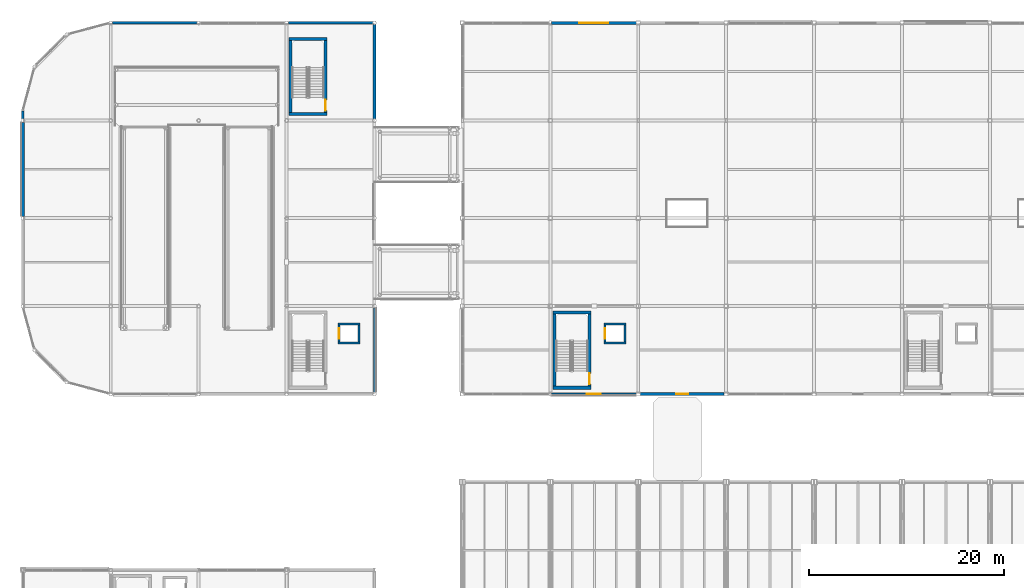
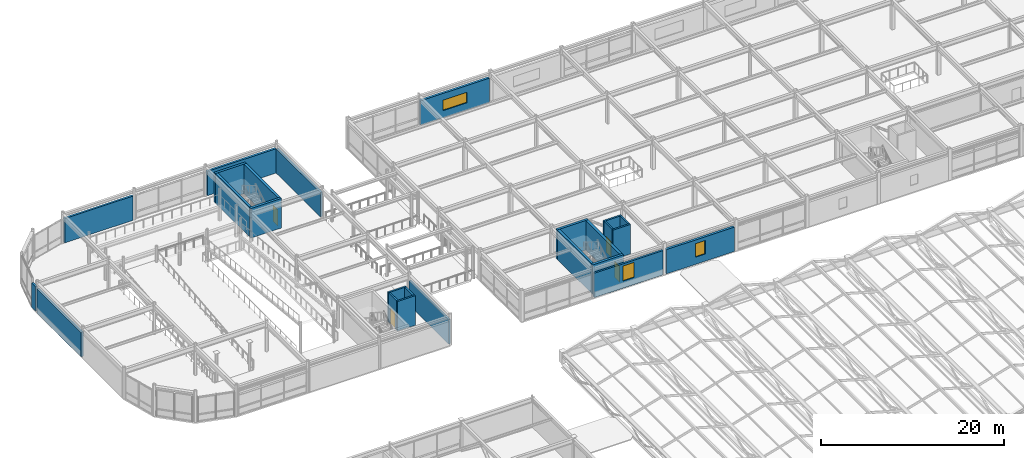
# One storey, part 79 of 108: 25 walls, 4 doors, 3 windows, 7 openings.
"""IFC4 building model written with IfcOpenShell, lengths in metres."""

from ifc_helpers import new_model, si_unit, direction, frame, frame_2d, origin, place, context, subcontext, project, spatial, rectangle, extrude, material, layer, layer_set, type_object, element, fill, save


model = new_model("IFC4")

# Units and contexts
model_context = context("Model", 3, precision=1e-05, world=origin(), true_north=direction((0.0, 1.0)))
body_context = subcontext(model_context, "Body", "Model", "MODEL_VIEW")
ifc_project = project(units=[si_unit("LENGTHUNIT", "METRE"), si_unit("AREAUNIT", "SQUARE_METRE"), si_unit("VOLUMEUNIT", "CUBIC_METRE"), si_unit("PLANEANGLEUNIT", "RADIAN"), si_unit("MASSUNIT", "GRAM", prefix="KILO")], contexts=[model_context])

# Site, building, storey
site_placement = place(None, origin())
site = spatial("IfcSite", under=ifc_project, at=site_placement, CompositionType="ELEMENT")
building_placement = place(site_placement, origin())
building = spatial("IfcBuilding", under=site, at=building_placement, Name="Suzunagisa Mobility Hub", CompositionType="ELEMENT")
storey_placement = place(building_placement, frame((0.0, 0.0, 9.300048828125)))
storey = spatial("IfcBuildingStorey", under=building, at=storey_placement, Name="L02", CompositionType="ELEMENT", Elevation=9.300048828125)

# Walls
ifc_material_1 = material(Name="Porcelain-Faced Insulated Concrete C30/37 Wall", Category="concrete")
ifc_layer_1 = layer(ifc_material_1, 0.260009765625)
ifc_layer_set_1 = layer_set([ifc_layer_1], Name="Porcelain-Faced Insulated Concrete C30/37 Wall")
wall_type_1 = type_object("IfcWallType", Name="Exterior Wall EW-03 260mm", PredefinedType="SOLIDWALL", material=ifc_layer_set_1)
wall_1_placement = place(storey_placement, frame((17.822265625, 118.0, 0.0), z_axis=(0.0, 0.0, 1.0), x_axis=(-1.0, 0.0, 0.0)))
element("IfcWall", 1, at=wall_1_placement, inside=storey, type_object=wall_type_1, Name="L02 Exterior Facade Wall EW-118", PredefinedType="SOLIDWALL", context=body_context, shape_type="SweptSolid", body=[
    extrude(rectangle(XDim=8.64453125, YDim=0.260009765625, at=frame_2d((4.322265625, 0.0))), origin(), (0.0, 0.0, 1.0), 3.25),
])
ifc_material_2 = material(Name="Lightweight Insulated Autoclaved Concrete C30/37 Wall", Category="concrete")
ifc_layer_2 = layer(ifc_material_2, 0.239990234375)
ifc_layer_set_2 = layer_set([ifc_layer_2], Name="Lightweight Insulated Autoclaved Concrete C30/37 Wall")
wall_type_2 = type_object("IfcWallType", Name="Exterior Wall EW-04 240mm", PredefinedType="SOLIDWALL", material=ifc_layer_set_2)
wall_2_placement = place(storey_placement, frame((36.0, 80.177734375, 0.0), z_axis=(0.0, 0.0, 1.0), x_axis=(0.0, 1.0, 0.0)))
element("IfcWall", 2, at=wall_2_placement, inside=storey, type_object=wall_type_2, Name="L02 Exterior Facade Wall EW-115", PredefinedType="SOLIDWALL", context=body_context, shape_type="SweptSolid", body=[
    extrude(rectangle(XDim=8.64453125, YDim=0.239990234375, at=frame_2d((4.322265625, 0.0))), origin(), (0.0, 0.0, 1.0), 3.25),
])
wall_3_placement = place(storey_placement, frame((0.0, 109.0, 0.0), z_axis=(0.0, 0.0, 1.0), x_axis=(0.0, -1.0, 0.0)))
element("IfcWall", 3, at=wall_3_placement, inside=storey, type_object=wall_type_2, Name="L02 Exterior Facade Wall EW-119", PredefinedType="SOLIDWALL", context=body_context, shape_type="SweptSolid", body=[
    extrude(rectangle(XDim=0.822265625, YDim=0.239990234375, at=frame_2d((0.4111328125, 0.0))), origin(), (0.0, 0.0, 1.0), 3.300048828125),
])

# Wall, opening, window
wall_4_placement = place(storey_placement, frame((54.10009765625, 80.0, 0.0), z_axis=(0.0, 0.0, 1.0), x_axis=(1.0, 0.0, 0.0)))
wall_4 = element("IfcWall", 4, at=wall_4_placement, inside=storey, type_object=wall_type_2, Name="L02 Exterior Facade Wall EW-195", PredefinedType="SOLIDWALL", context=body_context, shape_type="SweptSolid", body=[
    extrude(rectangle(XDim=8.699951171875, YDim=0.239990234375, at=frame_2d((4.35009765625, 0.0))), origin(), (0.0, 0.0, 1.0), 3.25),
])
opening_1_placement = place(wall_4_placement, frame((3.64990234375, 0.0, 0.949951171875)))
opening_1 = element("IfcOpeningElement", 5, at=opening_1_placement, cuts=wall_4, Name="Opening WN-25", PredefinedType="OPENING", context=body_context, shape_type="SweptSolid", body=[
    extrude(rectangle(XDim=1.39990234375, YDim=2.0, at=frame_2d((0.699951171875, 1.0))), frame((0.0, 0.130859375, 0.0), z_axis=(0.0, -1.0, 0.0), x_axis=(1.0, 0.0, 0.0)), (0.0, 0.0, 1.0), 0.261962890625),
])
ifc_material_3 = material(Name="Thermally Broken Anodized Aluminum and Low-E Double Glazing", Category="aluminium")
window_type_1 = type_object("IfcWindowType", Name="Aluminum Window WN-25 1400x2000", PartitioningType="SINGLE_PANEL", PredefinedType="WINDOW", material=ifc_material_3)
window_1_placement = place(opening_1_placement, origin())
window_1 = element("IfcWindow", 6, at=window_1_placement, inside=storey, type_object=window_type_1, Name="L02 Scheduled Facade Window WN-65", OverallHeight=2.0, OverallWidth=1.39990234375, PartitioningType="SINGLE_PANEL", PredefinedType="WINDOW", context=body_context, shape_type="SweptSolid", body=[
    extrude(rectangle(XDim=1.39990234375, YDim=2.0, at=frame_2d((0.699951171875, 1.0))), frame((0.0, 0.030029296875, 0.0), z_axis=(0.0, -1.0, 0.0), x_axis=(1.0, 0.0, 0.0)), (0.0, 0.0, 1.0), 0.06005859375),
])
fill(opening_1, window_1)

# Walls
ifc_layer_3 = layer(ifc_material_1, 0.280029296875)
ifc_layer_set_3 = layer_set([ifc_layer_3], Name="Porcelain-Faced Insulated Concrete C30/37 Wall")
wall_type_3 = type_object("IfcWallType", Name="Exterior Wall EW-08 280mm", PredefinedType="SOLIDWALL", material=ifc_layer_set_3)
wall_5_placement = place(storey_placement, frame((35.822265625, 118.0, 0.0), z_axis=(0.0, 0.0, 1.0), x_axis=(-1.0, 0.0, 0.0)))
element("IfcWall", 7, at=wall_5_placement, inside=storey, type_object=wall_type_3, Name="L02 Exterior Facade Wall EW-117", PredefinedType="SOLIDWALL", context=body_context, shape_type="SweptSolid", body=[
    extrude(rectangle(XDim=8.64453125, YDim=0.280029296875, at=frame_2d((4.322265625, 0.0))), origin(), (0.0, 0.0, 1.0), 3.25),
])
ifc_material_4 = material(Name="Insulated Precast Concrete C35/45 Panel", Category="concrete")
ifc_layer_4 = layer(ifc_material_4, 0.300048828125)
ifc_layer_set_4 = layer_set([ifc_layer_4], Name="Insulated Precast Concrete C35/45 Panel")
wall_type_4 = type_object("IfcWallType", Name="Exterior Wall EW-09 300mm", PredefinedType="SOLIDWALL", material=ifc_layer_set_4)
for number, where, z_axis, x_axis, name in (
    (8, (36.0, 108.177734375, 0.0), (0.0, 0.0, 1.0), (0.0, 1.0, 0.0), "L02 Exterior Facade Wall EW-116"),
    (9, (0.0, 107.822265625, 0.0), (0.0, 0.0, 1.0), (0.0, -1.0, 0.0), "L02 Exterior Facade Wall EW-120"),
):
    element("IfcWall", number, at=place(storey_placement, frame(where, z_axis=z_axis, x_axis=x_axis)), inside=storey, type_object=wall_type_4, Name=name, PredefinedType="SOLIDWALL", context=body_context, shape_type="SweptSolid", body=[
        extrude(rectangle(XDim=9.64453125, YDim=0.300048828125, at=frame_2d((4.822265625, 0.0))), origin(), (0.0, 0.0, 1.0), 3.25),
    ])

# Wall, opening, window
wall_6_placement = place(storey_placement, frame((63.199951171875, 80.0, 0.0), z_axis=(0.0, 0.0, 1.0), x_axis=(1.0, 0.0, 0.0)))
wall_6 = element("IfcWall", 10, at=wall_6_placement, inside=storey, type_object=wall_type_4, Name="L02 Exterior Facade Wall EW-196", PredefinedType="SOLIDWALL", context=body_context, shape_type="SweptSolid", body=[
    extrude(rectangle(XDim=8.60009765625, YDim=0.300048828125, at=frame_2d((4.300048828125, 0.0))), origin(), (0.0, 0.0, 1.0), 3.25),
])
opening_2_placement = place(wall_6_placement, frame((3.699951171875, 0.0, 0.949951171875)))
opening_2 = element("IfcOpeningElement", 11, at=opening_2_placement, cuts=wall_6, Name="Opening WN-10", PredefinedType="OPENING", context=body_context, shape_type="SweptSolid", body=[
    extrude(rectangle(XDim=1.199951171875, YDim=1.800048828125, at=frame_2d((0.60009765625, 0.89990234375))), frame((0.0, 0.1611328125, 0.0), z_axis=(0.0, -1.0, 0.0), x_axis=(1.0, 0.0, 0.0)), (0.0, 0.0, 1.0), 0.322021484375),
])
window_type_2 = type_object("IfcWindowType", Name="Aluminum Window WN-10 1200x1800", PartitioningType="SINGLE_PANEL", PredefinedType="WINDOW", material=ifc_material_3)
window_2_placement = place(opening_2_placement, origin())
window_2 = element("IfcWindow", 12, at=window_2_placement, inside=storey, type_object=window_type_2, Name="L02 Scheduled Facade Window WN-66", OverallHeight=1.800048828125, OverallWidth=1.199951171875, PartitioningType="SINGLE_PANEL", PredefinedType="WINDOW", context=body_context, shape_type="SweptSolid", body=[
    extrude(rectangle(XDim=1.199951171875, YDim=1.800048828125, at=frame_2d((0.60009765625, 0.89990234375))), frame((0.0, 0.030029296875, 0.0), z_axis=(0.0, -1.0, 0.0), x_axis=(1.0, 0.0, 0.0)), (0.0, 0.0, 1.0), 0.06005859375),
])
fill(opening_2, window_2)

wall_7_placement = place(storey_placement, frame((62.800048828125, 118.0, 0.0), z_axis=(0.0, 0.0, 1.0), x_axis=(-1.0, 0.0, 0.0)))
wall_7 = element("IfcWall", 13, at=wall_7_placement, inside=storey, type_object=wall_type_4, Name="L02 Exterior Facade Wall EW-208", PredefinedType="SOLIDWALL", context=body_context, shape_type="SweptSolid", body=[
    extrude(rectangle(XDim=8.699951171875, YDim=0.300048828125, at=frame_2d((4.35009765625, 0.0))), origin(), (0.0, 0.0, 1.0), 3.25),
])
opening_3_placement = place(wall_7_placement, frame((2.85009765625, 0.0, 0.949951171875)))
opening_3 = element("IfcOpeningElement", 14, at=opening_3_placement, cuts=wall_7, Name="Opening WN-09", PredefinedType="OPENING", context=body_context, shape_type="SweptSolid", body=[
    extrude(rectangle(XDim=3.0, YDim=1.39990234375, at=frame_2d((1.5, 0.699951171875))), frame((0.0, 0.1611328125, 0.0), z_axis=(0.0, -1.0, 0.0), x_axis=(1.0, 0.0, 0.0)), (0.0, 0.0, 1.0), 0.322021484375),
])
window_type_3 = type_object("IfcWindowType", Name="Aluminum Window WN-09 3000x1400", PartitioningType="SINGLE_PANEL", PredefinedType="WINDOW", material=ifc_material_3)
window_3_placement = place(opening_3_placement, origin())
window_3 = element("IfcWindow", 15, at=window_3_placement, inside=storey, type_object=window_type_3, Name="L02 Scheduled Facade Window WN-77", OverallHeight=1.39990234375, OverallWidth=3.0, PartitioningType="SINGLE_PANEL", PredefinedType="WINDOW", context=body_context, shape_type="SweptSolid", body=[
    extrude(rectangle(XDim=3.0, YDim=1.39990234375, at=frame_2d((1.5, 0.699951171875))), frame((0.0, 0.030029296875, 0.0), z_axis=(0.0, -1.0, 0.0), x_axis=(1.0, 0.0, 0.0)), (0.0, 0.0, 1.0), 0.06005859375),
])
fill(opening_3, window_3)

# Walls
ifc_material_5 = material(Name="Concrete C35/45", Category="concrete")
ifc_layer_5 = layer(ifc_material_5, 0.31005859375)
ifc_layer_set_5 = layer_set([ifc_layer_5], Name="Concrete C35/45")
wall_type_5 = type_object("IfcWallType", Name="Interior Wall IW-01 310mm", PredefinedType="SHEAR", material=ifc_layer_set_5)
for number, where, z_axis, x_axis, name in (
    (16, (27.25, 108.64501953125, 0.0), (0.0, 0.0, 1.0), (1.0, 0.0, 0.0), "L02 Core C6B Shear Wall SW-169"),
    (17, (27.25, 116.35498046875, 0.0), (0.0, 0.0, 1.0), (1.0, 0.0, 0.0), "L02 Core C6B Shear Wall SW-170"),
):
    element("IfcWall", number, at=place(storey_placement, frame(where, z_axis=z_axis, x_axis=x_axis)), inside=storey, type_object=wall_type_5, Name=name, PredefinedType="SHEAR", context=body_context, shape_type="SweptSolid", body=[
        extrude(rectangle(XDim=3.89990234375, YDim=0.31005859375, at=frame_2d((1.949951171875, 0.0))), origin(), (0.0, 0.0, 1.0), 3.949951171875),
    ])
wall_8_placement = place(storey_placement, frame((27.405029296875, 108.800048828125, 0.0), z_axis=(0.0, 0.0, 1.0), x_axis=(0.0, 1.0, 0.0)))
element("IfcWall", 18, at=wall_8_placement, inside=storey, type_object=wall_type_5, Name="L02 Core C6B Shear Wall SW-171", PredefinedType="SHEAR", context=body_context, shape_type="SweptSolid", body=[
    extrude(rectangle(XDim=7.39990234375, YDim=0.31005859375, at=frame_2d((3.699951171875, 0.0))), origin(), (0.0, 0.0, 1.0), 3.949951171875),
])

# Wall, opening, door
wall_9_placement = place(storey_placement, frame((30.9951171875, 108.800048828125, 0.0), z_axis=(0.0, 0.0, 1.0), x_axis=(0.0, 1.0, 0.0)))
wall_9 = element("IfcWall", 19, at=wall_9_placement, inside=storey, type_object=wall_type_5, Name="L02 Core C6B Shear Wall SW-172", PredefinedType="SHEAR", context=body_context, shape_type="SweptSolid", body=[
    extrude(rectangle(XDim=7.39990234375, YDim=0.31005859375, at=frame_2d((3.699951171875, 0.0))), origin(), (0.0, 0.0, 1.0), 3.949951171875),
])
opening_4_placement = place(wall_9_placement, frame((0.219970703125, 0.0, 0.0)))
opening_4 = element("IfcOpeningElement", 20, at=opening_4_placement, cuts=wall_9, Name="Opening DR-05", PredefinedType="OPENING", context=body_context, shape_type="SweptSolid", body=[
    extrude(rectangle(XDim=1.10009765625, YDim=2.14990234375, at=frame_2d((0.550048828125, 1.074951171875))), frame((0.0, 0.166015625, 0.0), z_axis=(0.0, -1.0, 0.0), x_axis=(1.0, 0.0, 0.0)), (0.0, 0.0, 1.0), 0.33203125),
])
ifc_material_6 = material(Name="Fire-Rated Hollow Steel Stair Door", Category="steel")
door_type_1 = type_object("IfcDoorType", Name="Interior Door DR-05 1100x2150", OperationType="SINGLE_SWING_LEFT", PredefinedType="DOOR", material=ifc_material_6)
door_1_placement = place(opening_4_placement, origin())
door_1 = element("IfcDoor", 21, at=door_1_placement, inside=storey, type_object=door_type_1, Name="L02 Core C6B Escape Stair Fire Door SD-41", OperationType="SINGLE_SWING_RIGHT", OverallHeight=2.14990234375, OverallWidth=1.10009765625, PredefinedType="DOOR", context=body_context, shape_type="SweptSolid", body=[
    extrude(rectangle(XDim=1.10009765625, YDim=2.14990234375, at=frame_2d((0.550048828125, 1.074951171875))), frame((0.0, 0.02490234375, 0.0), z_axis=(0.0, -1.0, 0.0), x_axis=(1.0, 0.0, 0.0)), (0.0, 0.0, 1.0), 0.050048828125),
])
fill(opening_4, door_1)

# Walls
for number, where, z_axis, x_axis, name in (
    (22, (54.25, 80.64501953125, 0.0), (0.0, 0.0, 1.0), (1.0, 0.0, 0.0), "L02 Core C3 Shear Wall SW-205"),
    (23, (54.25, 88.35498046875, 0.0), (0.0, 0.0, 1.0), (1.0, 0.0, 0.0), "L02 Core C3 Shear Wall SW-206"),
):
    element("IfcWall", number, at=place(storey_placement, frame(where, z_axis=z_axis, x_axis=x_axis)), inside=storey, type_object=wall_type_5, Name=name, PredefinedType="SHEAR", context=body_context, shape_type="SweptSolid", body=[
        extrude(rectangle(XDim=3.89990234375, YDim=0.31005859375, at=frame_2d((1.949951171875, 0.0))), origin(), (0.0, 0.0, 1.0), 3.949951171875),
    ])
wall_10_placement = place(storey_placement, frame((54.405029296875, 80.800048828125, 0.0), z_axis=(0.0, 0.0, 1.0), x_axis=(0.0, 1.0, 0.0)))
element("IfcWall", 24, at=wall_10_placement, inside=storey, type_object=wall_type_5, Name="L02 Core C3 Shear Wall SW-207", PredefinedType="SHEAR", context=body_context, shape_type="SweptSolid", body=[
    extrude(rectangle(XDim=7.39990234375, YDim=0.31005859375, at=frame_2d((3.699951171875, 0.0))), origin(), (0.0, 0.0, 1.0), 3.949951171875),
])

# Wall, opening, door
wall_11_placement = place(storey_placement, frame((57.9951171875, 80.800048828125, 0.0), z_axis=(0.0, 0.0, 1.0), x_axis=(0.0, 1.0, 0.0)))
wall_11 = element("IfcWall", 25, at=wall_11_placement, inside=storey, type_object=wall_type_5, Name="L02 Core C3 Shear Wall SW-208", PredefinedType="SHEAR", context=body_context, shape_type="SweptSolid", body=[
    extrude(rectangle(XDim=7.39990234375, YDim=0.31005859375, at=frame_2d((3.699951171875, 0.0))), origin(), (0.0, 0.0, 1.0), 3.949951171875),
])
opening_5_placement = place(wall_11_placement, frame((0.219970703125, 0.0, 0.0)))
opening_5 = element("IfcOpeningElement", 26, at=opening_5_placement, cuts=wall_11, Name="Opening DR-05", PredefinedType="OPENING", context=body_context, shape_type="SweptSolid", body=[
    extrude(rectangle(XDim=1.10009765625, YDim=2.14990234375, at=frame_2d((0.550048828125, 1.074951171875))), frame((0.0, 0.166015625, 0.0), z_axis=(0.0, -1.0, 0.0), x_axis=(1.0, 0.0, 0.0)), (0.0, 0.0, 1.0), 0.33203125),
])
door_2_placement = place(opening_5_placement, origin())
door_2 = element("IfcDoor", 27, at=door_2_placement, inside=storey, type_object=door_type_1, Name="L02 Core C3 Escape Stair Fire Door SD-50", OperationType="SINGLE_SWING_RIGHT", OverallHeight=2.14990234375, OverallWidth=1.10009765625, PredefinedType="DOOR", context=body_context, shape_type="SweptSolid", body=[
    extrude(rectangle(XDim=1.10009765625, YDim=2.14990234375, at=frame_2d((0.550048828125, 1.074951171875))), frame((0.0, 0.02490234375, 0.0), z_axis=(0.0, -1.0, 0.0), x_axis=(1.0, 0.0, 0.0)), (0.0, 0.0, 1.0), 0.050048828125),
])
fill(opening_5, door_2)

ifc_material_7 = material(Name="Fire-Rated Gypsum Stud Partition", Category="gypsum")
ifc_layer_6 = layer(ifc_material_7, 0.2099609375)
ifc_layer_set_6 = layer_set([ifc_layer_6], Name="Fire-Rated Gypsum Stud Partition")
wall_type_6 = type_object("IfcWallType", Name="Interior Wall IW-03 210mm", PredefinedType="PARTITIONING", material=ifc_layer_set_6)
wall_12_placement = place(storey_placement, frame((32.375, 85.330078125, 0.0), z_axis=(0.0, 0.0, 1.0), x_axis=(0.0, 1.0, 0.0)))
wall_12 = element("IfcWall", 28, at=wall_12_placement, inside=storey, type_object=wall_type_6, Name="L02 Lift LF-09 Shaft Front Wall", PredefinedType="PARTITIONING", context=body_context, shape_type="SweptSolid", body=[
    extrude(rectangle(XDim=1.739990234375, YDim=0.2099609375, at=frame_2d((0.8701171875, 0.0))), origin(), (0.0, 0.0, 1.0), 3.949951171875),
])
opening_6_placement = place(wall_12_placement, frame((0.320068359375, 0.0, 0.0)))
opening_6 = element("IfcOpeningElement", 29, at=opening_6_placement, cuts=wall_12, Name="Opening LD-01", PredefinedType="OPENING", context=body_context, shape_type="SweptSolid", body=[
    extrude(rectangle(XDim=1.10009765625, YDim=2.14990234375, at=frame_2d((0.550048828125, 1.074951171875))), frame((0.0, 0.115966796875, 0.0), z_axis=(0.0, -1.0, 0.0), x_axis=(1.0, 0.0, 0.0)), (0.0, 0.0, 1.0), 0.23193359375),
])
ifc_material_8 = material(Name="Brushed Stainless Steel SUS304", Category="metal")
door_type_2 = type_object("IfcDoorType", Name="Lift Landing Sliding Door LD-01 1100x2150", OperationType="SLIDING_TO_LEFT", PredefinedType="DOOR", material=ifc_material_8)
door_3_placement = place(opening_6_placement, origin())
door_3 = element("IfcDoor", 30, at=door_3_placement, inside=storey, type_object=door_type_2, Name="L02 Lift LF-09 Sliding Landing Door", OperationType="SLIDING_TO_LEFT", OverallHeight=2.14990234375, OverallWidth=1.10009765625, PredefinedType="DOOR", context=body_context, shape_type="SweptSolid", body=[
    extrude(rectangle(XDim=1.10009765625, YDim=2.14990234375, at=frame_2d((0.550048828125, 1.074951171875))), frame((0.0, 0.02490234375, 0.0), z_axis=(0.0, -1.0, 0.0), x_axis=(1.0, 0.0, 0.0)), (0.0, 0.0, 1.0), 0.050048828125),
])
fill(opening_6, door_3)

# Walls
wall_13_placement = place(storey_placement, frame((34.425048828125, 85.330078125, 0.0), z_axis=(0.0, 0.0, 1.0), x_axis=(0.0, 1.0, 0.0)))
element("IfcWall", 31, at=wall_13_placement, inside=storey, type_object=wall_type_6, Name="L02 Lift LF-09 Shaft Back Wall", PredefinedType="PARTITIONING", context=body_context, shape_type="SweptSolid", body=[
    extrude(rectangle(XDim=1.739990234375, YDim=0.2099609375, at=frame_2d((0.8701171875, 0.0))), origin(), (0.0, 0.0, 1.0), 3.949951171875),
])
for number, where, z_axis, x_axis, name in (
    (32, (32.27001953125, 85.22509765625, 0.0), (0.0, 0.0, 1.0), (1.0, 0.0, 0.0), "L02 Lift LF-09 Shaft South Wall"),
    (33, (32.27001953125, 87.175048828125, 0.0), (0.0, 0.0, 1.0), (1.0, 0.0, 0.0), "L02 Lift LF-09 Shaft North Wall"),
):
    element("IfcWall", number, at=place(storey_placement, frame(where, z_axis=z_axis, x_axis=x_axis)), inside=storey, type_object=wall_type_6, Name=name, PredefinedType="PARTITIONING", context=body_context, shape_type="SweptSolid", body=[
        extrude(rectangle(XDim=2.260009765625, YDim=0.2099609375, at=frame_2d((1.1298828125, 0.0))), origin(), (0.0, 0.0, 1.0), 3.949951171875),
    ])

# Wall, opening, door
wall_14_placement = place(storey_placement, frame((59.574951171875, 85.330078125, 0.0), z_axis=(0.0, 0.0, 1.0), x_axis=(0.0, 1.0, 0.0)))
wall_14 = element("IfcWall", 34, at=wall_14_placement, inside=storey, type_object=wall_type_6, Name="L02 Lift LF-04 Shaft Front Wall", PredefinedType="PARTITIONING", context=body_context, shape_type="SweptSolid", body=[
    extrude(rectangle(XDim=1.739990234375, YDim=0.2099609375, at=frame_2d((0.8701171875, 0.0))), origin(), (0.0, 0.0, 1.0), 3.949951171875),
])
opening_7_placement = place(wall_14_placement, frame((0.320068359375, 0.0, 0.0)))
opening_7 = element("IfcOpeningElement", 35, at=opening_7_placement, cuts=wall_14, Name="Opening LD-01", PredefinedType="OPENING", context=body_context, shape_type="SweptSolid", body=[
    extrude(rectangle(XDim=1.10009765625, YDim=2.14990234375, at=frame_2d((0.550048828125, 1.074951171875))), frame((0.0, 0.115966796875, 0.0), z_axis=(0.0, -1.0, 0.0), x_axis=(1.0, 0.0, 0.0)), (0.0, 0.0, 1.0), 0.23193359375),
])
door_4_placement = place(opening_7_placement, origin())
door_4 = element("IfcDoor", 36, at=door_4_placement, inside=storey, type_object=door_type_2, Name="L02 Lift LF-04 Sliding Landing Door", OperationType="SLIDING_TO_LEFT", OverallHeight=2.14990234375, OverallWidth=1.10009765625, PredefinedType="DOOR", context=body_context, shape_type="SweptSolid", body=[
    extrude(rectangle(XDim=1.10009765625, YDim=2.14990234375, at=frame_2d((0.550048828125, 1.074951171875))), frame((0.0, 0.02490234375, 0.0), z_axis=(0.0, -1.0, 0.0), x_axis=(1.0, 0.0, 0.0)), (0.0, 0.0, 1.0), 0.050048828125),
])
fill(opening_7, door_4)

# Walls
wall_15_placement = place(storey_placement, frame((61.625, 85.330078125, 0.0), z_axis=(0.0, 0.0, 1.0), x_axis=(0.0, 1.0, 0.0)))
element("IfcWall", 37, at=wall_15_placement, inside=storey, type_object=wall_type_6, Name="L02 Lift LF-04 Shaft Back Wall", PredefinedType="PARTITIONING", context=body_context, shape_type="SweptSolid", body=[
    extrude(rectangle(XDim=1.739990234375, YDim=0.2099609375, at=frame_2d((0.8701171875, 0.0))), origin(), (0.0, 0.0, 1.0), 3.949951171875),
])
for number, where, z_axis, x_axis, name in (
    (38, (59.469970703125, 85.22509765625, 0.0), (0.0, 0.0, 1.0), (1.0, 0.0, 0.0), "L02 Lift LF-04 Shaft South Wall"),
    (39, (59.469970703125, 87.175048828125, 0.0), (0.0, 0.0, 1.0), (1.0, 0.0, 0.0), "L02 Lift LF-04 Shaft North Wall"),
):
    element("IfcWall", number, at=place(storey_placement, frame(where, z_axis=z_axis, x_axis=x_axis)), inside=storey, type_object=wall_type_6, Name=name, PredefinedType="PARTITIONING", context=body_context, shape_type="SweptSolid", body=[
        extrude(rectangle(XDim=2.260009765625, YDim=0.2099609375, at=frame_2d((1.1298828125, 0.0))), origin(), (0.0, 0.0, 1.0), 3.949951171875),
    ])

save(model, "model.ifc")
